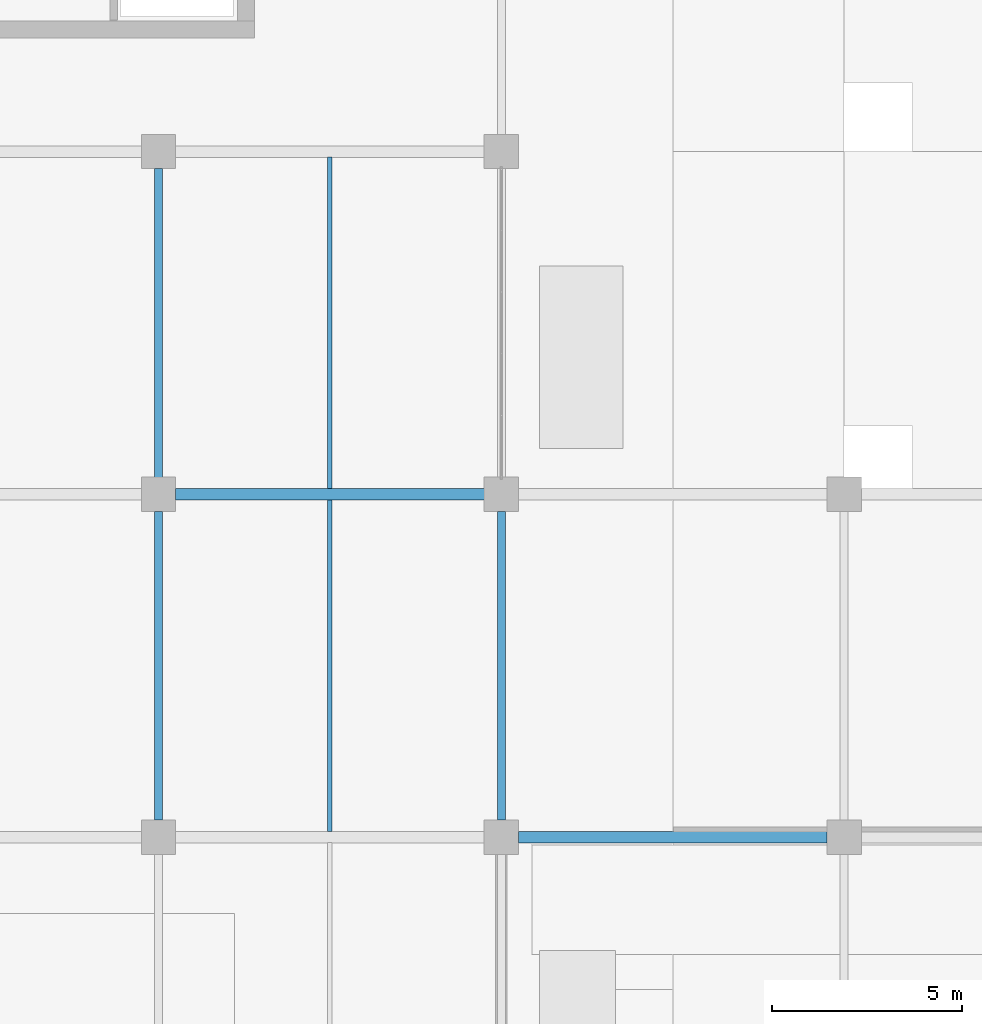
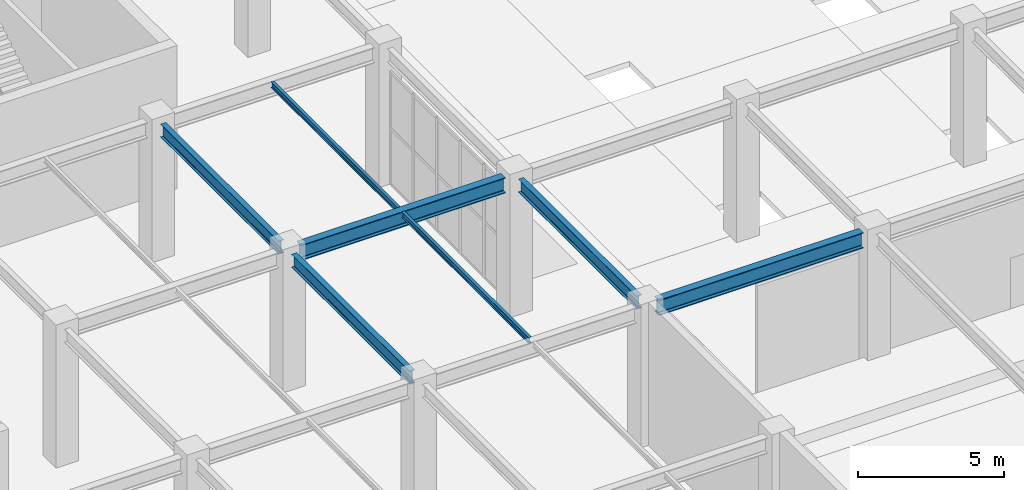
# One storey, part 9 of 91: 7 beams.
"""IFC4 building model written with IfcOpenShell, lengths in metres."""

from ifc_helpers import new_model, si_unit, direction, frame, origin, origin_2d, place, context, subcontext, project, spatial, i_section, extrude, material, material_profile, profile_set, type_object, element, save


model = new_model("IFC4")

# Units and contexts
model_context = context("Model", 3, precision=1e-05, world=origin(), true_north=direction((0.0, 1.0)))
body_context = subcontext(model_context, "Body", "Model", "MODEL_VIEW")
ifc_project = project(units=[si_unit("LENGTHUNIT", "METRE"), si_unit("AREAUNIT", "SQUARE_METRE"), si_unit("VOLUMEUNIT", "CUBIC_METRE"), si_unit("PLANEANGLEUNIT", "RADIAN"), si_unit("MASSUNIT", "GRAM", prefix="KILO")], contexts=[model_context])

# Site, building, storey
site_placement = place(None, origin())
site = spatial("IfcSite", under=ifc_project, at=site_placement, CompositionType="ELEMENT")
building_placement = place(site_placement, origin())
building = spatial("IfcBuilding", under=site, at=building_placement, Name="Dornveld Trade and Exhibition Forum", CompositionType="ELEMENT")
storey_placement = place(building_placement, origin())
storey = spatial("IfcBuildingStorey", under=building, at=storey_placement, Name="L00", CompositionType="ELEMENT", Elevation=0.0)

# Beams
ifc_material_1 = material(Name="Steel S355J2", Category="steel")
ifc_material_profile_1 = material_profile(ifc_material_1, i_section(OverallWidth=0.300048828125, OverallDepth=0.64990234375, WebThickness=0.01611328125, FlangeThickness=0.031005859375, FilletRadius=0.027099609375, at=origin_2d()), Name="HEB 650")
ifc_profile_set_1 = profile_set([ifc_material_profile_1], Name="Steel S355J2")
beam_type_1 = type_object("IfcBeamType", Name="BM-GIR-HEB650", PredefinedType="USERDEFINED", material=ifc_profile_set_1)
for number, where, z_axis, x_axis, name in (
    (1, (144.446044921875, 54.0, 5.375), (1.0, 0.0, 0.0), (0.0, 1.0, 0.0), "L00 X-girder 674"),
    (2, (153.446044921875, 45.0, 5.375), (1.0, 0.0, 0.0), (0.0, 1.0, 0.0), "L00 X-girder 1031"),
):
    element("IfcBeam", number, at=place(storey_placement, frame(where, z_axis=z_axis, x_axis=x_axis)), inside=storey, type_object=beam_type_1, Name=name, ObjectType="GIRDER", PredefinedType="USERDEFINED", context=body_context, shape_type="SweptSolid", body=[
        extrude(i_section(OverallWidth=0.300048828125, OverallDepth=0.64990234375, WebThickness=0.01611328125, FlangeThickness=0.031005859375, FilletRadius=0.027099609375, at=origin_2d()), origin(), (0.0, 0.0, 1.0), 8.10791015625),
    ])
ifc_material_2 = material(Name="Steel S355J2", Category="steel")
ifc_material_profile_2 = material_profile(ifc_material_2, i_section(OverallWidth=0.1201171875, OverallDepth=0.239990234375, WebThickness=0.006103515625, FlangeThickness=0.009765625, FilletRadius=0.014892578125, at=origin_2d()), Name="IPE 240")
ifc_profile_set_2 = profile_set([ifc_material_profile_2], Name="Steel S355J2")
beam_type_2 = type_object("IfcBeamType", Name="BM-JOIST-240", PredefinedType="JOIST", material=ifc_profile_set_2)
for number, where, z_axis, x_axis, name in (
    (3, (148.5, 45.14697265625, 5.580078125), (0.0, 1.0, 0.0), (-1.0, 0.0, 0.0), "L00 secondary joist 771"),
    (4, (148.5, 54.14697265625, 5.580078125), (0.0, 1.0, 0.0), (-1.0, 0.0, 0.0), "L00 secondary joist 772"),
):
    element("IfcBeam", number, at=place(storey_placement, frame(where, z_axis=z_axis, x_axis=x_axis)), inside=storey, type_object=beam_type_2, Name=name, PredefinedType="JOIST", context=body_context, shape_type="SweptSolid", body=[
        extrude(i_section(OverallWidth=0.1201171875, OverallDepth=0.239990234375, WebThickness=0.006103515625, FlangeThickness=0.009765625, FilletRadius=0.014892578125, at=origin_2d()), origin(), (0.0, 0.0, 1.0), 8.7060546875),
    ])
ifc_material_3 = material(Name="Steel S355J2", Category="steel")
ifc_material_profile_3 = material_profile(ifc_material_3, i_section(OverallWidth=0.2099609375, OverallDepth=0.550048828125, WebThickness=0.010986328125, FlangeThickness=0.01708984375, FilletRadius=0.02392578125, at=origin_2d()), Name="IPE 550")
ifc_profile_set_3 = profile_set([ifc_material_profile_3], Name="Steel S355J2")
beam_type_3 = type_object("IfcBeamType", Name="BM-SEC-550", PredefinedType="BEAM", material=ifc_profile_set_3)
for number, where, z_axis, x_axis, name in (
    (5, (144.0, 45.446044921875, 5.425048828125), (0.0, 1.0, 0.0), (-1.0, 0.0, 0.0), "L00 Y-girder 737"),
    (6, (144.0, 54.446044921875, 5.425048828125), (0.0, 1.0, 0.0), (-1.0, 0.0, 0.0), "L00 Y-girder 738"),
    (7, (153.0, 45.446044921875, 5.425048828125), (0.0, 1.0, 0.0), (-1.0, 0.0, 0.0), "L00 Y-girder 742"),
):
    element("IfcBeam", number, at=place(storey_placement, frame(where, z_axis=z_axis, x_axis=x_axis)), inside=storey, type_object=beam_type_3, Name=name, PredefinedType="BEAM", context=body_context, shape_type="SweptSolid", body=[
        extrude(i_section(OverallWidth=0.2099609375, OverallDepth=0.550048828125, WebThickness=0.010986328125, FlangeThickness=0.01708984375, FilletRadius=0.02392578125, at=origin_2d()), origin(), (0.0, 0.0, 1.0), 8.10791015625),
    ])

save(model, "model.ifc")
